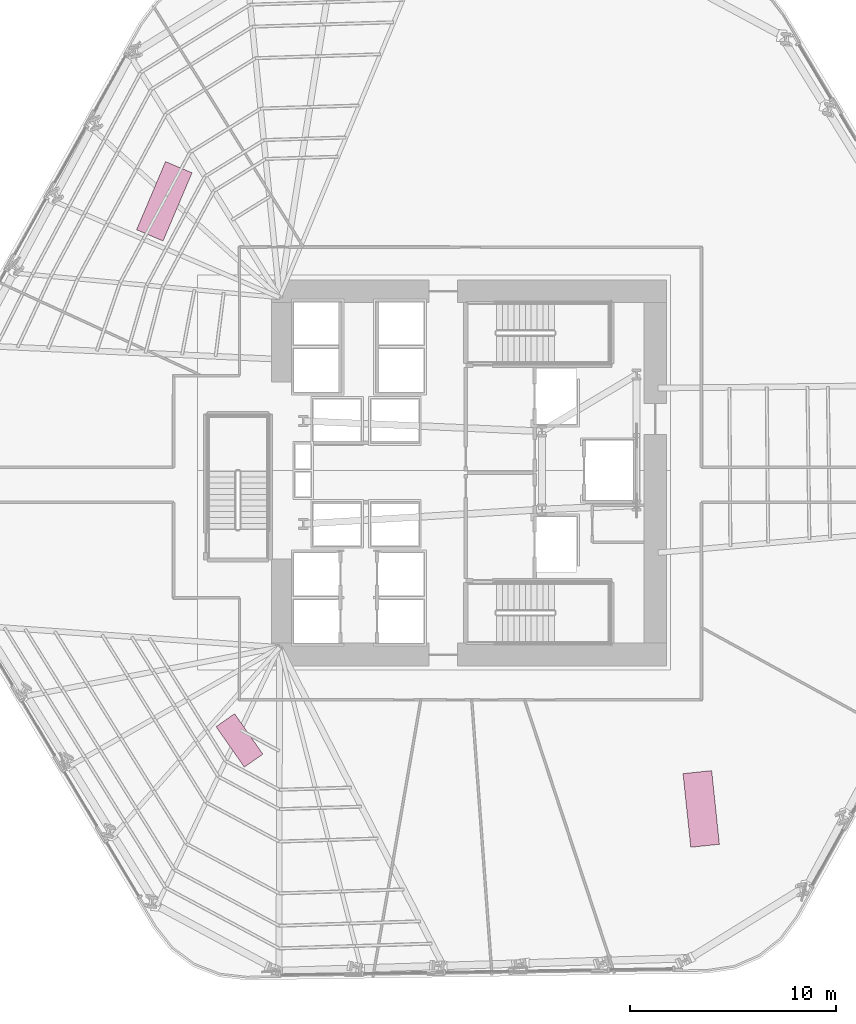
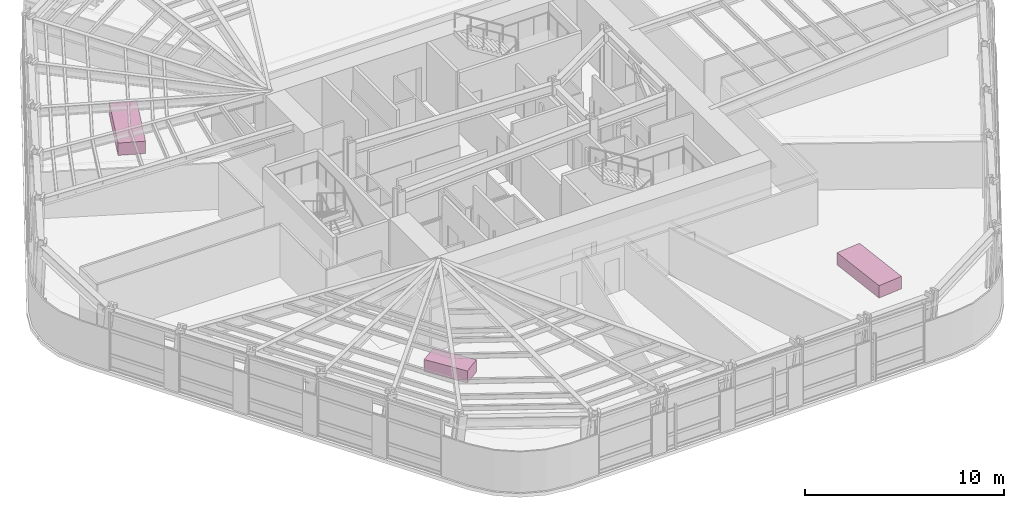
# One storey, part 15 of 15: 3 furniture elements.
"""IFC4 building model written with IfcOpenShell, lengths in metres."""

from ifc_helpers import new_model, si_unit, direction, frame, origin, origin_2d, place, context, subcontext, project, spatial, rectangle, extrude, material, type_object, element, save


model = new_model("IFC4")

# Units and contexts
model_context = context("Model", 3, precision=1e-05, world=origin(), true_north=direction((0.0, 1.0)))
body_context = subcontext(model_context, "Body", "Model", "MODEL_VIEW")
ifc_project = project(units=[si_unit("LENGTHUNIT", "METRE"), si_unit("AREAUNIT", "SQUARE_METRE"), si_unit("VOLUMEUNIT", "CUBIC_METRE"), si_unit("PLANEANGLEUNIT", "RADIAN"), si_unit("MASSUNIT", "GRAM", prefix="KILO")], contexts=[model_context])

# Site, building, storey
site_placement = place(None, origin())
site = spatial("IfcSite", under=ifc_project, at=site_placement, CompositionType="ELEMENT")
building_placement = place(site_placement, origin())
building = spatial("IfcBuilding", under=site, at=building_placement, Name="Valkerne Bourse Tower", CompositionType="ELEMENT")
storey_placement = place(building_placement, frame((0.0, 0.0, 27.800048828125)))
storey = spatial("IfcBuildingStorey", under=building, at=storey_placement, Name="L06", CompositionType="ELEMENT", Elevation=27.800048828125)

# Furniture
ifc_material = material(Name="Architectural White Oak Timber", Category="wood")
furniture_type_1 = type_object("IfcFurnitureType", Name="FURN-CONF-3600", AssemblyPlace="NOTDEFINED", PredefinedType="TABLE", material=ifc_material)
for number, where, z_axis, x_axis, name in (
    (1, (31.99609375, 40.077880859375, 0.044921875), (0.0, 0.0, 1.0), (0.390731128489, 0.920504853452, 0.0), "L06 Suite Worktable 05"),
    (2, (58.091064453125, 10.544921875, 0.044921875), (0.0, 0.0, 1.0), (-0.104528463268, 0.994521895368, 0.0), "L06 Suite Worktable 06"),
):
    element("IfcFurniture", number, at=place(storey_placement, frame(where, z_axis=z_axis, x_axis=x_axis)), inside=storey, type_object=furniture_type_1, Name=name, PredefinedType="TABLE", context=body_context, shape_type="SweptSolid", body=[
        extrude(rectangle(XDim=3.60009765625, YDim=1.39990234375, at=origin_2d()), origin(), (0.0, 0.0, 1.0), 0.760009765625),
    ])
furniture_type_2 = type_object("IfcFurnitureType", Name="FURN-DESK-2400", AssemblyPlace="NOTDEFINED", PredefinedType="DESK", material=ifc_material)
furniture_placement = place(storey_placement, frame((35.64892578125, 13.876953125, 0.044921875), z_axis=(0.0, 0.0, 1.0), x_axis=(-0.573576436351, 0.819152044289, 0.0)))
element("IfcFurniture", 3, at=furniture_placement, inside=storey, type_object=furniture_type_2, Name="L06 Suite Worktable 07", PredefinedType="DESK", context=body_context, shape_type="SweptSolid", body=[
    extrude(rectangle(XDim=2.39990234375, YDim=1.10009765625, at=origin_2d()), origin(), (0.0, 0.0, 1.0), 0.75),
])

save(model, "model.ifc")
